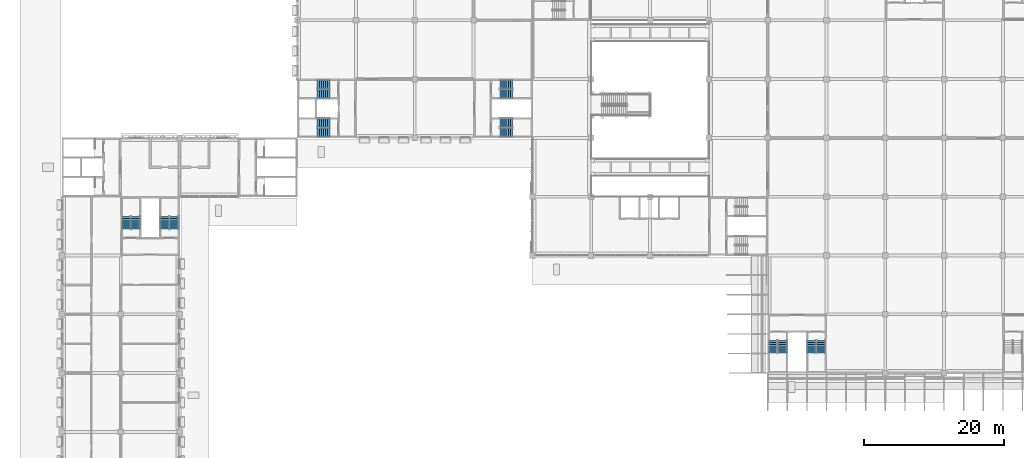
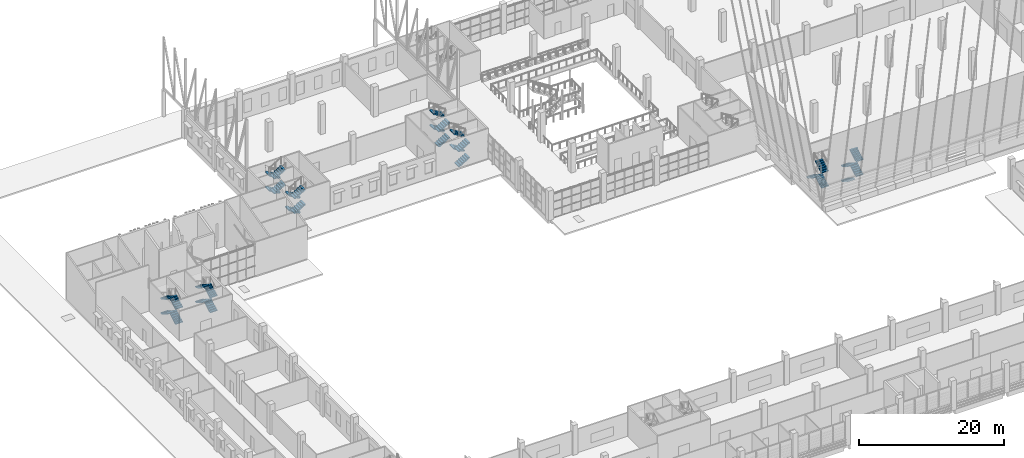
# One storey, part 44 of 101: 31 stair flights, 8 elements without a shape of their own.
"""IFC4 building model written with IfcOpenShell, lengths in metres."""

from ifc_helpers import new_model, si_unit, direction, frame, origin, place, context, subcontext, project, spatial, polyline, outline, extrude, material, type_object, element, aggregate, save


model = new_model("IFC4")

# Units and contexts
model_context = context("Model", 3, precision=1e-05, world=origin(), true_north=direction((0.0, 1.0)))
body_context = subcontext(model_context, "Body", "Model", "MODEL_VIEW")
ifc_project = project(units=[si_unit("LENGTHUNIT", "METRE"), si_unit("AREAUNIT", "SQUARE_METRE"), si_unit("VOLUMEUNIT", "CUBIC_METRE"), si_unit("PLANEANGLEUNIT", "RADIAN"), si_unit("MASSUNIT", "GRAM", prefix="KILO")], contexts=[model_context])

# Site, building, storey
site_placement = place(None, origin())
site = spatial("IfcSite", under=ifc_project, at=site_placement, CompositionType="ELEMENT")
building_placement = place(site_placement, origin())
building = spatial("IfcBuilding", under=site, at=building_placement, Name="Almond Square Museum", CompositionType="ELEMENT")
storey_placement = place(building_placement, frame((0.0, 0.0, 5.5)))
storey = spatial("IfcBuildingStorey", under=building, at=storey_placement, Name="L01", CompositionType="ELEMENT", Elevation=5.5)

# Stair, stair flights
ifc_material_1 = material(Name="Concrete C40/50", Category="concrete")
stair_type = type_object("IfcStairType", Name="Exit stair 28 risers of 179 mm", PredefinedType="HALF_TURN_STAIR", material=ifc_material_1)
stair_1_placement = place(storey_placement, origin())
stair_1 = element("IfcStair", 1, at=stair_1_placement, inside=storey, type_object=stair_type, Name="L01 stair H1-1", PredefinedType="HALF_TURN_STAIR")
ifc_material_2 = material(Name="Concrete C40/50", Category="concrete")
stair_flight_type = type_object("IfcStairFlightType", Name="Concrete flight", PredefinedType="STRAIGHT", material=ifc_material_2)
stair_flight_1_placement = place(storey_placement, frame((108.925048828125, 53.25, 1.25), z_axis=(0.0, 0.0, 1.0), x_axis=(0.0, 1.0, 0.0)))
stair_flight_1 = element("IfcStairFlight", 2, at=stair_flight_1_placement, type_object=stair_flight_type, Name="ST-01 flight 2", NumberOfRisers=7, NumberOfTreads=6, PredefinedType="STRAIGHT", RiserHeight=0.178571429, TreadLength=0.3, context=body_context, shape_type="SweptSolid", body=[
    extrude(outline(polyline([(0.0, 0.0), (0.0, 0.178466796875), (0.300048828125, 0.178466796875), (0.300048828125, 0.357177734375), (0.60009765625, 0.357177734375), (0.60009765625, 0.53564453125), (0.89990234375, 0.53564453125), (0.89990234375, 0.71435546875), (1.199951171875, 0.71435546875), (1.199951171875, 0.892822265625), (1.5, 0.892822265625), (1.5, 1.071533203125), (1.800048828125, 1.071533203125), (1.800048828125, 1.25), (1.800048828125, 0.89697265625), (0.29296875, 0.0), (0.0, 0.0)])), frame((0.0, 0.574951171875, 0.0), z_axis=(0.0, -1.0, 0.0), x_axis=(1.0, 0.0, 0.0)), (0.0, 0.0, 1.0), 1.14990234375),
])
stair_flight_2_placement = place(storey_placement, frame((107.574951171875, 55.050048828125, 2.5), z_axis=(0.0, 0.0, 1.0), x_axis=(0.0, -1.0, 0.0)))
stair_flight_2 = element("IfcStairFlight", 3, at=stair_flight_2_placement, type_object=stair_flight_type, Name="ST-01 flight 3", NumberOfRisers=7, NumberOfTreads=6, PredefinedType="STRAIGHT", RiserHeight=0.178571429, TreadLength=0.3, context=body_context, shape_type="SweptSolid", body=[
    extrude(outline(polyline([(0.0, 0.0), (0.0, 0.178466796875), (0.300048828125, 0.178466796875), (0.300048828125, 0.357177734375), (0.60009765625, 0.357177734375), (0.60009765625, 0.53564453125), (0.89990234375, 0.53564453125), (0.89990234375, 0.71435546875), (1.199951171875, 0.71435546875), (1.199951171875, 0.892822265625), (1.5, 0.892822265625), (1.5, 1.071533203125), (1.800048828125, 1.071533203125), (1.800048828125, 1.25), (1.800048828125, 0.89697265625), (0.29296875, 0.0), (0.0, 0.0)])), frame((0.0, 0.574951171875, 0.0), z_axis=(0.0, -1.0, 0.0), x_axis=(1.0, 0.0, 0.0)), (0.0, 0.0, 1.0), 1.14990234375),
])
stair_flight_3_placement = place(storey_placement, frame((108.925048828125, 53.25, 3.75), z_axis=(0.0, 0.0, 1.0), x_axis=(0.0, 1.0, 0.0)))
stair_flight_3 = element("IfcStairFlight", 4, at=stair_flight_3_placement, type_object=stair_flight_type, Name="ST-01 flight 4", NumberOfRisers=7, NumberOfTreads=6, PredefinedType="STRAIGHT", RiserHeight=0.178571429, TreadLength=0.3, context=body_context, shape_type="SweptSolid", body=[
    extrude(outline(polyline([(0.0, 0.0), (0.0, 0.178466796875), (0.300048828125, 0.178466796875), (0.300048828125, 0.357177734375), (0.60009765625, 0.357177734375), (0.60009765625, 0.53564453125), (0.89990234375, 0.53564453125), (0.89990234375, 0.71435546875), (1.199951171875, 0.71435546875), (1.199951171875, 0.892822265625), (1.5, 0.892822265625), (1.5, 1.071533203125), (1.800048828125, 1.071533203125), (1.800048828125, 1.25), (1.800048828125, 0.89697265625), (0.29296875, 0.0), (0.0, 0.0)])), frame((0.0, 0.574951171875, 0.0), z_axis=(0.0, -1.0, 0.0), x_axis=(1.0, 0.0, 0.0)), (0.0, 0.0, 1.0), 1.14990234375),
])
aggregate(stair_1, [stair_flight_1, stair_flight_2, stair_flight_3])

stair_2_placement = place(storey_placement, origin())
stair_2 = element("IfcStair", 5, at=stair_2_placement, inside=storey, type_object=stair_type, Name="L01 stair H1-2", PredefinedType="HALF_TURN_STAIR")
stair_flight_4_placement = place(storey_placement, frame((113.074951171875, 55.050048828125, 0.0), z_axis=(0.0, 0.0, 1.0), x_axis=(0.0, -1.0, 0.0)))
stair_flight_4 = element("IfcStairFlight", 6, at=stair_flight_4_placement, type_object=stair_flight_type, Name="ST-02 flight 1", NumberOfRisers=7, NumberOfTreads=6, PredefinedType="STRAIGHT", RiserHeight=0.178571429, TreadLength=0.3, context=body_context, shape_type="SweptSolid", body=[
    extrude(outline(polyline([(0.0, 0.0), (0.0, 0.178466796875), (0.300048828125, 0.178466796875), (0.300048828125, 0.357177734375), (0.60009765625, 0.357177734375), (0.60009765625, 0.53564453125), (0.89990234375, 0.53564453125), (0.89990234375, 0.71435546875), (1.199951171875, 0.71435546875), (1.199951171875, 0.892822265625), (1.5, 0.892822265625), (1.5, 1.071533203125), (1.800048828125, 1.071533203125), (1.800048828125, 1.25), (1.800048828125, 0.89697265625), (0.29296875, 0.0), (0.0, 0.0)])), frame((0.0, 0.574951171875, 0.0), z_axis=(0.0, -1.0, 0.0), x_axis=(1.0, 0.0, 0.0)), (0.0, 0.0, 1.0), 1.14990234375),
])
stair_flight_5_placement = place(storey_placement, frame((114.425048828125, 53.25, 1.25), z_axis=(0.0, 0.0, 1.0), x_axis=(0.0, 1.0, 0.0)))
stair_flight_5 = element("IfcStairFlight", 7, at=stair_flight_5_placement, type_object=stair_flight_type, Name="ST-02 flight 2", NumberOfRisers=7, NumberOfTreads=6, PredefinedType="STRAIGHT", RiserHeight=0.178571429, TreadLength=0.3, context=body_context, shape_type="SweptSolid", body=[
    extrude(outline(polyline([(0.0, 0.0), (0.0, 0.178466796875), (0.300048828125, 0.178466796875), (0.300048828125, 0.357177734375), (0.60009765625, 0.357177734375), (0.60009765625, 0.53564453125), (0.89990234375, 0.53564453125), (0.89990234375, 0.71435546875), (1.199951171875, 0.71435546875), (1.199951171875, 0.892822265625), (1.5, 0.892822265625), (1.5, 1.071533203125), (1.800048828125, 1.071533203125), (1.800048828125, 1.25), (1.800048828125, 0.89697265625), (0.29296875, 0.0), (0.0, 0.0)])), frame((0.0, 0.574951171875, 0.0), z_axis=(0.0, -1.0, 0.0), x_axis=(1.0, 0.0, 0.0)), (0.0, 0.0, 1.0), 1.14990234375),
])
stair_flight_6_placement = place(storey_placement, frame((113.074951171875, 55.050048828125, 2.5), z_axis=(0.0, 0.0, 1.0), x_axis=(0.0, -1.0, 0.0)))
stair_flight_6 = element("IfcStairFlight", 8, at=stair_flight_6_placement, type_object=stair_flight_type, Name="ST-02 flight 3", NumberOfRisers=7, NumberOfTreads=6, PredefinedType="STRAIGHT", RiserHeight=0.178571429, TreadLength=0.3, context=body_context, shape_type="SweptSolid", body=[
    extrude(outline(polyline([(0.0, 0.0), (0.0, 0.178466796875), (0.300048828125, 0.178466796875), (0.300048828125, 0.357177734375), (0.60009765625, 0.357177734375), (0.60009765625, 0.53564453125), (0.89990234375, 0.53564453125), (0.89990234375, 0.71435546875), (1.199951171875, 0.71435546875), (1.199951171875, 0.892822265625), (1.5, 0.892822265625), (1.5, 1.071533203125), (1.800048828125, 1.071533203125), (1.800048828125, 1.25), (1.800048828125, 0.89697265625), (0.29296875, 0.0), (0.0, 0.0)])), frame((0.0, 0.574951171875, 0.0), z_axis=(0.0, -1.0, 0.0), x_axis=(1.0, 0.0, 0.0)), (0.0, 0.0, 1.0), 1.14990234375),
])
stair_flight_7_placement = place(storey_placement, frame((114.425048828125, 53.25, 3.75), z_axis=(0.0, 0.0, 1.0), x_axis=(0.0, 1.0, 0.0)))
stair_flight_7 = element("IfcStairFlight", 9, at=stair_flight_7_placement, type_object=stair_flight_type, Name="ST-02 flight 4", NumberOfRisers=7, NumberOfTreads=6, PredefinedType="STRAIGHT", RiserHeight=0.178571429, TreadLength=0.3, context=body_context, shape_type="SweptSolid", body=[
    extrude(outline(polyline([(0.0, 0.0), (0.0, 0.178466796875), (0.300048828125, 0.178466796875), (0.300048828125, 0.357177734375), (0.60009765625, 0.357177734375), (0.60009765625, 0.53564453125), (0.89990234375, 0.53564453125), (0.89990234375, 0.71435546875), (1.199951171875, 0.71435546875), (1.199951171875, 0.892822265625), (1.5, 0.892822265625), (1.5, 1.071533203125), (1.800048828125, 1.071533203125), (1.800048828125, 1.25), (1.800048828125, 0.89697265625), (0.29296875, 0.0), (0.0, 0.0)])), frame((0.0, 0.574951171875, 0.0), z_axis=(0.0, -1.0, 0.0), x_axis=(1.0, 0.0, 0.0)), (0.0, 0.0, 1.0), 1.14990234375),
])
aggregate(stair_2, [stair_flight_4, stair_flight_5, stair_flight_6, stair_flight_7])

stair_3_placement = place(storey_placement, origin())
stair_3 = element("IfcStair", 10, at=stair_3_placement, inside=storey, type_object=stair_type, Name="L01 stair N1-1", PredefinedType="HALF_TURN_STAIR")
stair_flight_8_placement = place(storey_placement, frame((44.25, 86.125, 0.0), z_axis=(0.0, 0.0, 1.0), x_axis=(-1.0, 0.0, 0.0)))
stair_flight_8 = element("IfcStairFlight", 11, at=stair_flight_8_placement, type_object=stair_flight_type, Name="ST-17 flight 1", NumberOfRisers=7, NumberOfTreads=6, PredefinedType="STRAIGHT", RiserHeight=0.178571429, TreadLength=0.3, context=body_context, shape_type="SweptSolid", body=[
    extrude(outline(polyline([(0.0, 0.0), (0.0, 0.178466796875), (0.300048828125, 0.178466796875), (0.300048828125, 0.357177734375), (0.60009765625, 0.357177734375), (0.60009765625, 0.53564453125), (0.89990234375, 0.53564453125), (0.89990234375, 0.71435546875), (1.199951171875, 0.71435546875), (1.199951171875, 0.892822265625), (1.5, 0.892822265625), (1.5, 1.071533203125), (1.800048828125, 1.071533203125), (1.800048828125, 1.25), (1.800048828125, 0.89697265625), (0.29296875, 0.0), (0.0, 0.0)])), frame((0.0, 0.574951171875, 0.0), z_axis=(0.0, -1.0, 0.0), x_axis=(1.0, 0.0, 0.0)), (0.0, 0.0, 1.0), 1.14990234375),
])
stair_flight_9_placement = place(storey_placement, frame((42.449951171875, 84.77490234375, 1.25), z_axis=(0.0, 0.0, 1.0), x_axis=(1.0, 0.0, 0.0)))
stair_flight_9 = element("IfcStairFlight", 12, at=stair_flight_9_placement, type_object=stair_flight_type, Name="ST-17 flight 2", NumberOfRisers=7, NumberOfTreads=6, PredefinedType="STRAIGHT", RiserHeight=0.178571429, TreadLength=0.3, context=body_context, shape_type="SweptSolid", body=[
    extrude(outline(polyline([(0.0, 0.0), (0.0, 0.178466796875), (0.300048828125, 0.178466796875), (0.300048828125, 0.357177734375), (0.60009765625, 0.357177734375), (0.60009765625, 0.53564453125), (0.89990234375, 0.53564453125), (0.89990234375, 0.71435546875), (1.199951171875, 0.71435546875), (1.199951171875, 0.892822265625), (1.5, 0.892822265625), (1.5, 1.071533203125), (1.800048828125, 1.071533203125), (1.800048828125, 1.25), (1.800048828125, 0.89697265625), (0.29296875, 0.0), (0.0, 0.0)])), frame((0.0, 0.574951171875, 0.0), z_axis=(0.0, -1.0, 0.0), x_axis=(1.0, 0.0, 0.0)), (0.0, 0.0, 1.0), 1.14990234375),
])
stair_flight_10_placement = place(storey_placement, frame((44.25, 86.125, 2.5), z_axis=(0.0, 0.0, 1.0), x_axis=(-1.0, 0.0, 0.0)))
stair_flight_10 = element("IfcStairFlight", 13, at=stair_flight_10_placement, type_object=stair_flight_type, Name="ST-17 flight 3", NumberOfRisers=7, NumberOfTreads=6, PredefinedType="STRAIGHT", RiserHeight=0.178571429, TreadLength=0.3, context=body_context, shape_type="SweptSolid", body=[
    extrude(outline(polyline([(0.0, 0.0), (0.0, 0.178466796875), (0.300048828125, 0.178466796875), (0.300048828125, 0.357177734375), (0.60009765625, 0.357177734375), (0.60009765625, 0.53564453125), (0.89990234375, 0.53564453125), (0.89990234375, 0.71435546875), (1.199951171875, 0.71435546875), (1.199951171875, 0.892822265625), (1.5, 0.892822265625), (1.5, 1.071533203125), (1.800048828125, 1.071533203125), (1.800048828125, 1.25), (1.800048828125, 0.89697265625), (0.29296875, 0.0), (0.0, 0.0)])), frame((0.0, 0.574951171875, 0.0), z_axis=(0.0, -1.0, 0.0), x_axis=(1.0, 0.0, 0.0)), (0.0, 0.0, 1.0), 1.14990234375),
])
stair_flight_11_placement = place(storey_placement, frame((42.449951171875, 84.77490234375, 3.75), z_axis=(0.0, 0.0, 1.0), x_axis=(1.0, 0.0, 0.0)))
stair_flight_11 = element("IfcStairFlight", 14, at=stair_flight_11_placement, type_object=stair_flight_type, Name="ST-17 flight 4", NumberOfRisers=7, NumberOfTreads=6, PredefinedType="STRAIGHT", RiserHeight=0.178571429, TreadLength=0.3, context=body_context, shape_type="SweptSolid", body=[
    extrude(outline(polyline([(0.0, 0.0), (0.0, 0.178466796875), (0.300048828125, 0.178466796875), (0.300048828125, 0.357177734375), (0.60009765625, 0.357177734375), (0.60009765625, 0.53564453125), (0.89990234375, 0.53564453125), (0.89990234375, 0.71435546875), (1.199951171875, 0.71435546875), (1.199951171875, 0.892822265625), (1.5, 0.892822265625), (1.5, 1.071533203125), (1.800048828125, 1.071533203125), (1.800048828125, 1.25), (1.800048828125, 0.89697265625), (0.29296875, 0.0), (0.0, 0.0)])), frame((0.0, 0.574951171875, 0.0), z_axis=(0.0, -1.0, 0.0), x_axis=(1.0, 0.0, 0.0)), (0.0, 0.0, 1.0), 1.14990234375),
])
aggregate(stair_3, [stair_flight_8, stair_flight_9, stair_flight_10, stair_flight_11])

stair_4_placement = place(storey_placement, origin())
stair_4 = element("IfcStair", 15, at=stair_4_placement, inside=storey, type_object=stair_type, Name="L01 stair N1-2", PredefinedType="HALF_TURN_STAIR")
stair_flight_12_placement = place(storey_placement, frame((44.25, 91.625, 0.0), z_axis=(0.0, 0.0, 1.0), x_axis=(-1.0, 0.0, 0.0)))
stair_flight_12 = element("IfcStairFlight", 16, at=stair_flight_12_placement, type_object=stair_flight_type, Name="ST-18 flight 1", NumberOfRisers=7, NumberOfTreads=6, PredefinedType="STRAIGHT", RiserHeight=0.178571429, TreadLength=0.3, context=body_context, shape_type="SweptSolid", body=[
    extrude(outline(polyline([(0.0, 0.0), (0.0, 0.178466796875), (0.300048828125, 0.178466796875), (0.300048828125, 0.357177734375), (0.60009765625, 0.357177734375), (0.60009765625, 0.53564453125), (0.89990234375, 0.53564453125), (0.89990234375, 0.71435546875), (1.199951171875, 0.71435546875), (1.199951171875, 0.892822265625), (1.5, 0.892822265625), (1.5, 1.071533203125), (1.800048828125, 1.071533203125), (1.800048828125, 1.25), (1.800048828125, 0.89697265625), (0.29296875, 0.0), (0.0, 0.0)])), frame((0.0, 0.574951171875, 0.0), z_axis=(0.0, -1.0, 0.0), x_axis=(1.0, 0.0, 0.0)), (0.0, 0.0, 1.0), 1.14990234375),
])
stair_flight_13_placement = place(storey_placement, frame((42.449951171875, 90.27490234375, 1.25), z_axis=(0.0, 0.0, 1.0), x_axis=(1.0, 0.0, 0.0)))
stair_flight_13 = element("IfcStairFlight", 17, at=stair_flight_13_placement, type_object=stair_flight_type, Name="ST-18 flight 2", NumberOfRisers=7, NumberOfTreads=6, PredefinedType="STRAIGHT", RiserHeight=0.178571429, TreadLength=0.3, context=body_context, shape_type="SweptSolid", body=[
    extrude(outline(polyline([(0.0, 0.0), (0.0, 0.178466796875), (0.300048828125, 0.178466796875), (0.300048828125, 0.357177734375), (0.60009765625, 0.357177734375), (0.60009765625, 0.53564453125), (0.89990234375, 0.53564453125), (0.89990234375, 0.71435546875), (1.199951171875, 0.71435546875), (1.199951171875, 0.892822265625), (1.5, 0.892822265625), (1.5, 1.071533203125), (1.800048828125, 1.071533203125), (1.800048828125, 1.25), (1.800048828125, 0.89697265625), (0.29296875, 0.0), (0.0, 0.0)])), frame((0.0, 0.574951171875, 0.0), z_axis=(0.0, -1.0, 0.0), x_axis=(1.0, 0.0, 0.0)), (0.0, 0.0, 1.0), 1.14990234375),
])
stair_flight_14_placement = place(storey_placement, frame((44.25, 91.625, 2.5), z_axis=(0.0, 0.0, 1.0), x_axis=(-1.0, 0.0, 0.0)))
stair_flight_14 = element("IfcStairFlight", 18, at=stair_flight_14_placement, type_object=stair_flight_type, Name="ST-18 flight 3", NumberOfRisers=7, NumberOfTreads=6, PredefinedType="STRAIGHT", RiserHeight=0.178571429, TreadLength=0.3, context=body_context, shape_type="SweptSolid", body=[
    extrude(outline(polyline([(0.0, 0.0), (0.0, 0.178466796875), (0.300048828125, 0.178466796875), (0.300048828125, 0.357177734375), (0.60009765625, 0.357177734375), (0.60009765625, 0.53564453125), (0.89990234375, 0.53564453125), (0.89990234375, 0.71435546875), (1.199951171875, 0.71435546875), (1.199951171875, 0.892822265625), (1.5, 0.892822265625), (1.5, 1.071533203125), (1.800048828125, 1.071533203125), (1.800048828125, 1.25), (1.800048828125, 0.89697265625), (0.29296875, 0.0), (0.0, 0.0)])), frame((0.0, 0.574951171875, 0.0), z_axis=(0.0, -1.0, 0.0), x_axis=(1.0, 0.0, 0.0)), (0.0, 0.0, 1.0), 1.14990234375),
])
stair_flight_15_placement = place(storey_placement, frame((42.449951171875, 90.27490234375, 3.75), z_axis=(0.0, 0.0, 1.0), x_axis=(1.0, 0.0, 0.0)))
stair_flight_15 = element("IfcStairFlight", 19, at=stair_flight_15_placement, type_object=stair_flight_type, Name="ST-18 flight 4", NumberOfRisers=7, NumberOfTreads=6, PredefinedType="STRAIGHT", RiserHeight=0.178571429, TreadLength=0.3, context=body_context, shape_type="SweptSolid", body=[
    extrude(outline(polyline([(0.0, 0.0), (0.0, 0.178466796875), (0.300048828125, 0.178466796875), (0.300048828125, 0.357177734375), (0.60009765625, 0.357177734375), (0.60009765625, 0.53564453125), (0.89990234375, 0.53564453125), (0.89990234375, 0.71435546875), (1.199951171875, 0.71435546875), (1.199951171875, 0.892822265625), (1.5, 0.892822265625), (1.5, 1.071533203125), (1.800048828125, 1.071533203125), (1.800048828125, 1.25), (1.800048828125, 0.89697265625), (0.29296875, 0.0), (0.0, 0.0)])), frame((0.0, 0.574951171875, 0.0), z_axis=(0.0, -1.0, 0.0), x_axis=(1.0, 0.0, 0.0)), (0.0, 0.0, 1.0), 1.14990234375),
])
aggregate(stair_4, [stair_flight_12, stair_flight_13, stair_flight_14, stair_flight_15])

stair_5_placement = place(storey_placement, origin())
stair_5 = element("IfcStair", 20, at=stair_5_placement, inside=storey, type_object=stair_type, Name="L01 stair N2-1", PredefinedType="HALF_TURN_STAIR")
stair_flight_16_placement = place(storey_placement, frame((68.550048828125, 84.77490234375, 0.0), z_axis=(0.0, 0.0, 1.0), x_axis=(1.0, 0.0, 0.0)))
stair_flight_16 = element("IfcStairFlight", 21, at=stair_flight_16_placement, type_object=stair_flight_type, Name="ST-19 flight 1", NumberOfRisers=7, NumberOfTreads=6, PredefinedType="STRAIGHT", RiserHeight=0.178571429, TreadLength=0.3, context=body_context, shape_type="SweptSolid", body=[
    extrude(outline(polyline([(0.0, 0.0), (0.0, 0.178466796875), (0.300048828125, 0.178466796875), (0.300048828125, 0.357177734375), (0.60009765625, 0.357177734375), (0.60009765625, 0.53564453125), (0.89990234375, 0.53564453125), (0.89990234375, 0.71435546875), (1.199951171875, 0.71435546875), (1.199951171875, 0.892822265625), (1.5, 0.892822265625), (1.5, 1.071533203125), (1.800048828125, 1.071533203125), (1.800048828125, 1.25), (1.800048828125, 0.89697265625), (0.29296875, 0.0), (0.0, 0.0)])), frame((0.0, 0.574951171875, 0.0), z_axis=(0.0, -1.0, 0.0), x_axis=(1.0, 0.0, 0.0)), (0.0, 0.0, 1.0), 1.14990234375),
])
stair_flight_17_placement = place(storey_placement, frame((70.35009765625, 86.125, 1.25), z_axis=(0.0, 0.0, 1.0), x_axis=(-1.0, 0.0, 0.0)))
stair_flight_17 = element("IfcStairFlight", 22, at=stair_flight_17_placement, type_object=stair_flight_type, Name="ST-19 flight 2", NumberOfRisers=7, NumberOfTreads=6, PredefinedType="STRAIGHT", RiserHeight=0.178571429, TreadLength=0.3, context=body_context, shape_type="SweptSolid", body=[
    extrude(outline(polyline([(0.0, 0.0), (0.0, 0.178466796875), (0.300048828125, 0.178466796875), (0.300048828125, 0.357177734375), (0.60009765625, 0.357177734375), (0.60009765625, 0.53564453125), (0.89990234375, 0.53564453125), (0.89990234375, 0.71435546875), (1.199951171875, 0.71435546875), (1.199951171875, 0.892822265625), (1.5, 0.892822265625), (1.5, 1.071533203125), (1.800048828125, 1.071533203125), (1.800048828125, 1.25), (1.800048828125, 0.89697265625), (0.29296875, 0.0), (0.0, 0.0)])), frame((0.0, 0.574951171875, 0.0), z_axis=(0.0, -1.0, 0.0), x_axis=(1.0, 0.0, 0.0)), (0.0, 0.0, 1.0), 1.14990234375),
])
stair_flight_18_placement = place(storey_placement, frame((68.550048828125, 84.77490234375, 2.5), z_axis=(0.0, 0.0, 1.0), x_axis=(1.0, 0.0, 0.0)))
stair_flight_18 = element("IfcStairFlight", 23, at=stair_flight_18_placement, type_object=stair_flight_type, Name="ST-19 flight 3", NumberOfRisers=7, NumberOfTreads=6, PredefinedType="STRAIGHT", RiserHeight=0.178571429, TreadLength=0.3, context=body_context, shape_type="SweptSolid", body=[
    extrude(outline(polyline([(0.0, 0.0), (0.0, 0.178466796875), (0.300048828125, 0.178466796875), (0.300048828125, 0.357177734375), (0.60009765625, 0.357177734375), (0.60009765625, 0.53564453125), (0.89990234375, 0.53564453125), (0.89990234375, 0.71435546875), (1.199951171875, 0.71435546875), (1.199951171875, 0.892822265625), (1.5, 0.892822265625), (1.5, 1.071533203125), (1.800048828125, 1.071533203125), (1.800048828125, 1.25), (1.800048828125, 0.89697265625), (0.29296875, 0.0), (0.0, 0.0)])), frame((0.0, 0.574951171875, 0.0), z_axis=(0.0, -1.0, 0.0), x_axis=(1.0, 0.0, 0.0)), (0.0, 0.0, 1.0), 1.14990234375),
])
stair_flight_19_placement = place(storey_placement, frame((70.35009765625, 86.125, 3.75), z_axis=(0.0, 0.0, 1.0), x_axis=(-1.0, 0.0, 0.0)))
stair_flight_19 = element("IfcStairFlight", 24, at=stair_flight_19_placement, type_object=stair_flight_type, Name="ST-19 flight 4", NumberOfRisers=7, NumberOfTreads=6, PredefinedType="STRAIGHT", RiserHeight=0.178571429, TreadLength=0.3, context=body_context, shape_type="SweptSolid", body=[
    extrude(outline(polyline([(0.0, 0.0), (0.0, 0.178466796875), (0.300048828125, 0.178466796875), (0.300048828125, 0.357177734375), (0.60009765625, 0.357177734375), (0.60009765625, 0.53564453125), (0.89990234375, 0.53564453125), (0.89990234375, 0.71435546875), (1.199951171875, 0.71435546875), (1.199951171875, 0.892822265625), (1.5, 0.892822265625), (1.5, 1.071533203125), (1.800048828125, 1.071533203125), (1.800048828125, 1.25), (1.800048828125, 0.89697265625), (0.29296875, 0.0), (0.0, 0.0)])), frame((0.0, 0.574951171875, 0.0), z_axis=(0.0, -1.0, 0.0), x_axis=(1.0, 0.0, 0.0)), (0.0, 0.0, 1.0), 1.14990234375),
])
aggregate(stair_5, [stair_flight_16, stair_flight_17, stair_flight_18, stair_flight_19])

stair_6_placement = place(storey_placement, origin())
stair_6 = element("IfcStair", 25, at=stair_6_placement, inside=storey, type_object=stair_type, Name="L01 stair N2-2", PredefinedType="HALF_TURN_STAIR")
stair_flight_20_placement = place(storey_placement, frame((68.550048828125, 90.27490234375, 0.0), z_axis=(0.0, 0.0, 1.0), x_axis=(1.0, 0.0, 0.0)))
stair_flight_20 = element("IfcStairFlight", 26, at=stair_flight_20_placement, type_object=stair_flight_type, Name="ST-20 flight 1", NumberOfRisers=7, NumberOfTreads=6, PredefinedType="STRAIGHT", RiserHeight=0.178571429, TreadLength=0.3, context=body_context, shape_type="SweptSolid", body=[
    extrude(outline(polyline([(0.0, 0.0), (0.0, 0.178466796875), (0.300048828125, 0.178466796875), (0.300048828125, 0.357177734375), (0.60009765625, 0.357177734375), (0.60009765625, 0.53564453125), (0.89990234375, 0.53564453125), (0.89990234375, 0.71435546875), (1.199951171875, 0.71435546875), (1.199951171875, 0.892822265625), (1.5, 0.892822265625), (1.5, 1.071533203125), (1.800048828125, 1.071533203125), (1.800048828125, 1.25), (1.800048828125, 0.89697265625), (0.29296875, 0.0), (0.0, 0.0)])), frame((0.0, 0.574951171875, 0.0), z_axis=(0.0, -1.0, 0.0), x_axis=(1.0, 0.0, 0.0)), (0.0, 0.0, 1.0), 1.14990234375),
])
stair_flight_21_placement = place(storey_placement, frame((70.35009765625, 91.625, 1.25), z_axis=(0.0, 0.0, 1.0), x_axis=(-1.0, 0.0, 0.0)))
stair_flight_21 = element("IfcStairFlight", 27, at=stair_flight_21_placement, type_object=stair_flight_type, Name="ST-20 flight 2", NumberOfRisers=7, NumberOfTreads=6, PredefinedType="STRAIGHT", RiserHeight=0.178571429, TreadLength=0.3, context=body_context, shape_type="SweptSolid", body=[
    extrude(outline(polyline([(0.0, 0.0), (0.0, 0.178466796875), (0.300048828125, 0.178466796875), (0.300048828125, 0.357177734375), (0.60009765625, 0.357177734375), (0.60009765625, 0.53564453125), (0.89990234375, 0.53564453125), (0.89990234375, 0.71435546875), (1.199951171875, 0.71435546875), (1.199951171875, 0.892822265625), (1.5, 0.892822265625), (1.5, 1.071533203125), (1.800048828125, 1.071533203125), (1.800048828125, 1.25), (1.800048828125, 0.89697265625), (0.29296875, 0.0), (0.0, 0.0)])), frame((0.0, 0.574951171875, 0.0), z_axis=(0.0, -1.0, 0.0), x_axis=(1.0, 0.0, 0.0)), (0.0, 0.0, 1.0), 1.14990234375),
])
stair_flight_22_placement = place(storey_placement, frame((68.550048828125, 90.27490234375, 2.5), z_axis=(0.0, 0.0, 1.0), x_axis=(1.0, 0.0, 0.0)))
stair_flight_22 = element("IfcStairFlight", 28, at=stair_flight_22_placement, type_object=stair_flight_type, Name="ST-20 flight 3", NumberOfRisers=7, NumberOfTreads=6, PredefinedType="STRAIGHT", RiserHeight=0.178571429, TreadLength=0.3, context=body_context, shape_type="SweptSolid", body=[
    extrude(outline(polyline([(0.0, 0.0), (0.0, 0.178466796875), (0.300048828125, 0.178466796875), (0.300048828125, 0.357177734375), (0.60009765625, 0.357177734375), (0.60009765625, 0.53564453125), (0.89990234375, 0.53564453125), (0.89990234375, 0.71435546875), (1.199951171875, 0.71435546875), (1.199951171875, 0.892822265625), (1.5, 0.892822265625), (1.5, 1.071533203125), (1.800048828125, 1.071533203125), (1.800048828125, 1.25), (1.800048828125, 0.89697265625), (0.29296875, 0.0), (0.0, 0.0)])), frame((0.0, 0.574951171875, 0.0), z_axis=(0.0, -1.0, 0.0), x_axis=(1.0, 0.0, 0.0)), (0.0, 0.0, 1.0), 1.14990234375),
])
stair_flight_23_placement = place(storey_placement, frame((70.35009765625, 91.625, 3.75), z_axis=(0.0, 0.0, 1.0), x_axis=(-1.0, 0.0, 0.0)))
stair_flight_23 = element("IfcStairFlight", 29, at=stair_flight_23_placement, type_object=stair_flight_type, Name="ST-20 flight 4", NumberOfRisers=7, NumberOfTreads=6, PredefinedType="STRAIGHT", RiserHeight=0.178571429, TreadLength=0.3, context=body_context, shape_type="SweptSolid", body=[
    extrude(outline(polyline([(0.0, 0.0), (0.0, 0.178466796875), (0.300048828125, 0.178466796875), (0.300048828125, 0.357177734375), (0.60009765625, 0.357177734375), (0.60009765625, 0.53564453125), (0.89990234375, 0.53564453125), (0.89990234375, 0.71435546875), (1.199951171875, 0.71435546875), (1.199951171875, 0.892822265625), (1.5, 0.892822265625), (1.5, 1.071533203125), (1.800048828125, 1.071533203125), (1.800048828125, 1.25), (1.800048828125, 0.89697265625), (0.29296875, 0.0), (0.0, 0.0)])), frame((0.0, 0.574951171875, 0.0), z_axis=(0.0, -1.0, 0.0), x_axis=(1.0, 0.0, 0.0)), (0.0, 0.0, 1.0), 1.14990234375),
])
aggregate(stair_6, [stair_flight_20, stair_flight_21, stair_flight_22, stair_flight_23])

stair_7_placement = place(storey_placement, origin())
stair_7 = element("IfcStair", 30, at=stair_7_placement, inside=storey, type_object=stair_type, Name="L01 stair W2-1", PredefinedType="HALF_TURN_STAIR")
stair_flight_24_placement = place(storey_placement, frame((16.52490234375, 70.949951171875, 0.0), z_axis=(0.0, 0.0, 1.0), x_axis=(0.0, 1.0, 0.0)))
stair_flight_24 = element("IfcStairFlight", 31, at=stair_flight_24_placement, type_object=stair_flight_type, Name="ST-23 flight 1", NumberOfRisers=7, NumberOfTreads=6, PredefinedType="STRAIGHT", RiserHeight=0.178571429, TreadLength=0.3, context=body_context, shape_type="SweptSolid", body=[
    extrude(outline(polyline([(0.0, 0.0), (0.0, 0.178466796875), (0.300048828125, 0.178466796875), (0.300048828125, 0.357177734375), (0.60009765625, 0.357177734375), (0.60009765625, 0.53564453125), (0.89990234375, 0.53564453125), (0.89990234375, 0.71435546875), (1.199951171875, 0.71435546875), (1.199951171875, 0.892822265625), (1.5, 0.892822265625), (1.5, 1.071533203125), (1.800048828125, 1.071533203125), (1.800048828125, 1.25), (1.800048828125, 0.89697265625), (0.29296875, 0.0), (0.0, 0.0)])), frame((0.0, 0.574951171875, 0.0), z_axis=(0.0, -1.0, 0.0), x_axis=(1.0, 0.0, 0.0)), (0.0, 0.0, 1.0), 1.14990234375),
])
stair_flight_25_placement = place(storey_placement, frame((15.175048828125, 72.75, 1.25), z_axis=(0.0, 0.0, 1.0), x_axis=(0.0, -1.0, 0.0)))
stair_flight_25 = element("IfcStairFlight", 32, at=stair_flight_25_placement, type_object=stair_flight_type, Name="ST-23 flight 2", NumberOfRisers=7, NumberOfTreads=6, PredefinedType="STRAIGHT", RiserHeight=0.178571429, TreadLength=0.3, context=body_context, shape_type="SweptSolid", body=[
    extrude(outline(polyline([(0.0, 0.0), (0.0, 0.178466796875), (0.300048828125, 0.178466796875), (0.300048828125, 0.357177734375), (0.60009765625, 0.357177734375), (0.60009765625, 0.53564453125), (0.89990234375, 0.53564453125), (0.89990234375, 0.71435546875), (1.199951171875, 0.71435546875), (1.199951171875, 0.892822265625), (1.5, 0.892822265625), (1.5, 1.071533203125), (1.800048828125, 1.071533203125), (1.800048828125, 1.25), (1.800048828125, 0.89697265625), (0.29296875, 0.0), (0.0, 0.0)])), frame((0.0, 0.574951171875, 0.0), z_axis=(0.0, -1.0, 0.0), x_axis=(1.0, 0.0, 0.0)), (0.0, 0.0, 1.0), 1.14990234375),
])
stair_flight_26_placement = place(storey_placement, frame((16.52490234375, 70.949951171875, 2.5), z_axis=(0.0, 0.0, 1.0), x_axis=(0.0, 1.0, 0.0)))
stair_flight_26 = element("IfcStairFlight", 33, at=stair_flight_26_placement, type_object=stair_flight_type, Name="ST-23 flight 3", NumberOfRisers=7, NumberOfTreads=6, PredefinedType="STRAIGHT", RiserHeight=0.178571429, TreadLength=0.3, context=body_context, shape_type="SweptSolid", body=[
    extrude(outline(polyline([(0.0, 0.0), (0.0, 0.178466796875), (0.300048828125, 0.178466796875), (0.300048828125, 0.357177734375), (0.60009765625, 0.357177734375), (0.60009765625, 0.53564453125), (0.89990234375, 0.53564453125), (0.89990234375, 0.71435546875), (1.199951171875, 0.71435546875), (1.199951171875, 0.892822265625), (1.5, 0.892822265625), (1.5, 1.071533203125), (1.800048828125, 1.071533203125), (1.800048828125, 1.25), (1.800048828125, 0.89697265625), (0.29296875, 0.0), (0.0, 0.0)])), frame((0.0, 0.574951171875, 0.0), z_axis=(0.0, -1.0, 0.0), x_axis=(1.0, 0.0, 0.0)), (0.0, 0.0, 1.0), 1.14990234375),
])
stair_flight_27_placement = place(storey_placement, frame((15.175048828125, 72.75, 3.75), z_axis=(0.0, 0.0, 1.0), x_axis=(0.0, -1.0, 0.0)))
stair_flight_27 = element("IfcStairFlight", 34, at=stair_flight_27_placement, type_object=stair_flight_type, Name="ST-23 flight 4", NumberOfRisers=7, NumberOfTreads=6, PredefinedType="STRAIGHT", RiserHeight=0.178571429, TreadLength=0.3, context=body_context, shape_type="SweptSolid", body=[
    extrude(outline(polyline([(0.0, 0.0), (0.0, 0.178466796875), (0.300048828125, 0.178466796875), (0.300048828125, 0.357177734375), (0.60009765625, 0.357177734375), (0.60009765625, 0.53564453125), (0.89990234375, 0.53564453125), (0.89990234375, 0.71435546875), (1.199951171875, 0.71435546875), (1.199951171875, 0.892822265625), (1.5, 0.892822265625), (1.5, 1.071533203125), (1.800048828125, 1.071533203125), (1.800048828125, 1.25), (1.800048828125, 0.89697265625), (0.29296875, 0.0), (0.0, 0.0)])), frame((0.0, 0.574951171875, 0.0), z_axis=(0.0, -1.0, 0.0), x_axis=(1.0, 0.0, 0.0)), (0.0, 0.0, 1.0), 1.14990234375),
])
aggregate(stair_7, [stair_flight_24, stair_flight_25, stair_flight_26, stair_flight_27])

stair_8_placement = place(storey_placement, origin())
stair_8 = element("IfcStair", 35, at=stair_8_placement, inside=storey, type_object=stair_type, Name="L01 stair W2-2", PredefinedType="HALF_TURN_STAIR")
stair_flight_28_placement = place(storey_placement, frame((22.02490234375, 70.949951171875, 0.0), z_axis=(0.0, 0.0, 1.0), x_axis=(0.0, 1.0, 0.0)))
stair_flight_28 = element("IfcStairFlight", 36, at=stair_flight_28_placement, type_object=stair_flight_type, Name="ST-24 flight 1", NumberOfRisers=7, NumberOfTreads=6, PredefinedType="STRAIGHT", RiserHeight=0.178571429, TreadLength=0.3, context=body_context, shape_type="SweptSolid", body=[
    extrude(outline(polyline([(0.0, 0.0), (0.0, 0.178466796875), (0.300048828125, 0.178466796875), (0.300048828125, 0.357177734375), (0.60009765625, 0.357177734375), (0.60009765625, 0.53564453125), (0.89990234375, 0.53564453125), (0.89990234375, 0.71435546875), (1.199951171875, 0.71435546875), (1.199951171875, 0.892822265625), (1.5, 0.892822265625), (1.5, 1.071533203125), (1.800048828125, 1.071533203125), (1.800048828125, 1.25), (1.800048828125, 0.89697265625), (0.29296875, 0.0), (0.0, 0.0)])), frame((0.0, 0.574951171875, 0.0), z_axis=(0.0, -1.0, 0.0), x_axis=(1.0, 0.0, 0.0)), (0.0, 0.0, 1.0), 1.14990234375),
])
stair_flight_29_placement = place(storey_placement, frame((20.675048828125, 72.75, 1.25), z_axis=(0.0, 0.0, 1.0), x_axis=(0.0, -1.0, 0.0)))
stair_flight_29 = element("IfcStairFlight", 37, at=stair_flight_29_placement, type_object=stair_flight_type, Name="ST-24 flight 2", NumberOfRisers=7, NumberOfTreads=6, PredefinedType="STRAIGHT", RiserHeight=0.178571429, TreadLength=0.3, context=body_context, shape_type="SweptSolid", body=[
    extrude(outline(polyline([(0.0, 0.0), (0.0, 0.178466796875), (0.300048828125, 0.178466796875), (0.300048828125, 0.357177734375), (0.60009765625, 0.357177734375), (0.60009765625, 0.53564453125), (0.89990234375, 0.53564453125), (0.89990234375, 0.71435546875), (1.199951171875, 0.71435546875), (1.199951171875, 0.892822265625), (1.5, 0.892822265625), (1.5, 1.071533203125), (1.800048828125, 1.071533203125), (1.800048828125, 1.25), (1.800048828125, 0.89697265625), (0.29296875, 0.0), (0.0, 0.0)])), frame((0.0, 0.574951171875, 0.0), z_axis=(0.0, -1.0, 0.0), x_axis=(1.0, 0.0, 0.0)), (0.0, 0.0, 1.0), 1.14990234375),
])
stair_flight_30_placement = place(storey_placement, frame((22.02490234375, 70.949951171875, 2.5), z_axis=(0.0, 0.0, 1.0), x_axis=(0.0, 1.0, 0.0)))
stair_flight_30 = element("IfcStairFlight", 38, at=stair_flight_30_placement, type_object=stair_flight_type, Name="ST-24 flight 3", NumberOfRisers=7, NumberOfTreads=6, PredefinedType="STRAIGHT", RiserHeight=0.178571429, TreadLength=0.3, context=body_context, shape_type="SweptSolid", body=[
    extrude(outline(polyline([(0.0, 0.0), (0.0, 0.178466796875), (0.300048828125, 0.178466796875), (0.300048828125, 0.357177734375), (0.60009765625, 0.357177734375), (0.60009765625, 0.53564453125), (0.89990234375, 0.53564453125), (0.89990234375, 0.71435546875), (1.199951171875, 0.71435546875), (1.199951171875, 0.892822265625), (1.5, 0.892822265625), (1.5, 1.071533203125), (1.800048828125, 1.071533203125), (1.800048828125, 1.25), (1.800048828125, 0.89697265625), (0.29296875, 0.0), (0.0, 0.0)])), frame((0.0, 0.574951171875, 0.0), z_axis=(0.0, -1.0, 0.0), x_axis=(1.0, 0.0, 0.0)), (0.0, 0.0, 1.0), 1.14990234375),
])
stair_flight_31_placement = place(storey_placement, frame((20.675048828125, 72.75, 3.75), z_axis=(0.0, 0.0, 1.0), x_axis=(0.0, -1.0, 0.0)))
stair_flight_31 = element("IfcStairFlight", 39, at=stair_flight_31_placement, type_object=stair_flight_type, Name="ST-24 flight 4", NumberOfRisers=7, NumberOfTreads=6, PredefinedType="STRAIGHT", RiserHeight=0.178571429, TreadLength=0.3, context=body_context, shape_type="SweptSolid", body=[
    extrude(outline(polyline([(0.0, 0.0), (0.0, 0.178466796875), (0.300048828125, 0.178466796875), (0.300048828125, 0.357177734375), (0.60009765625, 0.357177734375), (0.60009765625, 0.53564453125), (0.89990234375, 0.53564453125), (0.89990234375, 0.71435546875), (1.199951171875, 0.71435546875), (1.199951171875, 0.892822265625), (1.5, 0.892822265625), (1.5, 1.071533203125), (1.800048828125, 1.071533203125), (1.800048828125, 1.25), (1.800048828125, 0.89697265625), (0.29296875, 0.0), (0.0, 0.0)])), frame((0.0, 0.574951171875, 0.0), z_axis=(0.0, -1.0, 0.0), x_axis=(1.0, 0.0, 0.0)), (0.0, 0.0, 1.0), 1.14990234375),
])
aggregate(stair_8, [stair_flight_28, stair_flight_29, stair_flight_30, stair_flight_31])

save(model, "model.ifc")
